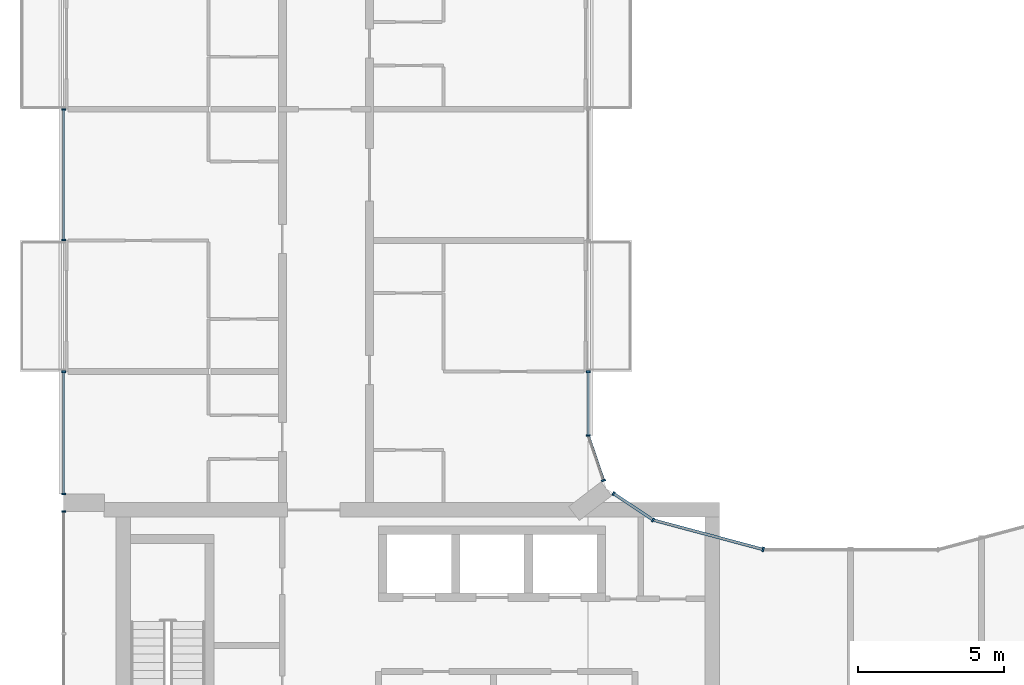
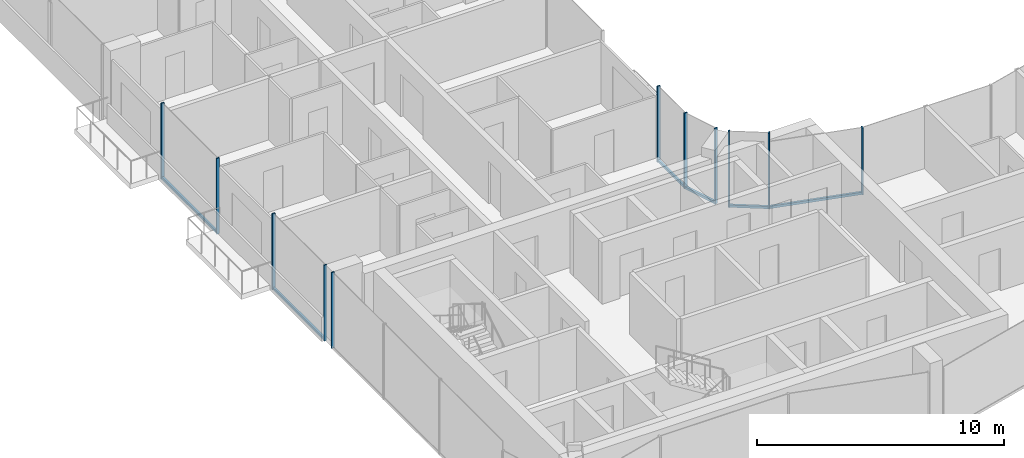
# One storey, part 4 of 17: 17 members, 7 elements without a shape of their own.
"""IFC4 building model written with IfcOpenShell, lengths in metres."""

from ifc_helpers import new_model, si_unit, direction, frame, origin, origin_2d, place, context, subcontext, project, spatial, rectangle, extrude, material, layer, layer_set, material_profile, profile_set, type_object, element, aggregate, save


model = new_model("IFC4")

# Units and contexts
model_context = context("Model", 3, precision=1e-05, world=origin(), true_north=direction((0.0, 1.0)))
body_context = subcontext(model_context, "Body", "Model", "MODEL_VIEW")
ifc_project = project(units=[si_unit("LENGTHUNIT", "METRE"), si_unit("AREAUNIT", "SQUARE_METRE"), si_unit("VOLUMEUNIT", "CUBIC_METRE"), si_unit("PLANEANGLEUNIT", "RADIAN"), si_unit("MASSUNIT", "GRAM", prefix="KILO")], contexts=[model_context])

# Site, building, storey
site_placement = place(None, origin())
site = spatial("IfcSite", under=ifc_project, at=site_placement, CompositionType="ELEMENT")
building_placement = place(site_placement, origin())
building = spatial("IfcBuilding", under=site, at=building_placement, Name="Plateau Cross Towers", CompositionType="ELEMENT")
storey_placement = place(building_placement, frame((0.0, 0.0, 225.89990234375)))
storey = spatial("IfcBuildingStorey", under=building, at=storey_placement, Name="L59", CompositionType="ELEMENT", Elevation=225.89990234375)

# Curtain wall, members
ifc_material_1 = material(Name="Dark low-iron glass", Category="glass")
ifc_layer_1 = layer(ifc_material_1, 0.239990234375)
ifc_layer_set_1 = layer_set([ifc_layer_1], Name="Dark low-iron glass")
curtain_wall_type_1 = type_object("IfcCurtainWallType", Name="Curtain wall flush unitised CW-B", PredefinedType="NOTDEFINED", material=ifc_layer_set_1)
curtain_wall_1_placement = place(storey_placement, origin())
curtain_wall_1 = element("IfcCurtainWall", 1, at=curtain_wall_1_placement, inside=storey, type_object=curtain_wall_type_1, Name="ENV/A/L59/A202_174", PredefinedType="NOTDEFINED")
ifc_material_2 = material(Name="Black anodised aluminium", Category="aluminium")
ifc_material_profile_1 = material_profile(ifc_material_2, rectangle(XDim=0.06005859375, YDim=0.139892578125, at=origin_2d()), Name="MULLION 60x140")
ifc_profile_set_1 = profile_set([ifc_material_profile_1], Name="Black anodised aluminium")
member_type_1 = type_object("IfcMemberType", Name="Mullion 60x140 flush unitised", PredefinedType="MULLION", material=ifc_profile_set_1)
member_1_placement = place(storey_placement, frame((20.223876953125, 17.404296875, -0.25), z_axis=(0.0, 0.0, 1.0), x_axis=(-0.831521253329, 0.555492938984, 0.0)))
member_1 = element("IfcMember", 2, at=member_1_placement, type_object=member_type_1, Name="CW-B mullion 1", PredefinedType="MULLION", context=body_context, shape_type="SweptSolid", body=[
    extrude(rectangle(XDim=0.06005859375, YDim=0.139892578125, at=origin_2d()), origin(), (0.0, 0.0, 1.0), 3.75),
])
member_2_placement = place(storey_placement, frame((18.86962890625, 18.30908203125, -0.25), z_axis=(0.0, 0.0, 1.0), x_axis=(-0.831521253329, 0.555492938984, 0.0)))
member_2 = element("IfcMember", 3, at=member_2_placement, type_object=member_type_1, Name="CW-B mullion 2", PredefinedType="MULLION", context=body_context, shape_type="SweptSolid", body=[
    extrude(rectangle(XDim=0.06005859375, YDim=0.139892578125, at=origin_2d()), origin(), (0.0, 0.0, 1.0), 3.75),
])

# Curtain wall, member
curtain_wall_2_placement = place(storey_placement, origin())
curtain_wall_2 = element("IfcCurtainWall", 4, at=curtain_wall_2_placement, inside=storey, type_object=curtain_wall_type_1, Name="ENV/A/L59/A185_188", PredefinedType="NOTDEFINED")
member_3_placement = place(storey_placement, frame((18.523681640625, 18.760009765625, -0.25), z_axis=(0.0, 0.0, 1.0), x_axis=(-0.321469161574, 0.94692004845, 0.0)))
member_3 = element("IfcMember", 5, at=member_3_placement, type_object=member_type_1, Name="CW-B mullion 1", PredefinedType="MULLION", context=body_context, shape_type="SweptSolid", body=[
    extrude(rectangle(XDim=0.06005859375, YDim=0.139892578125, at=origin_2d()), origin(), (0.0, 0.0, 1.0), 3.75),
])

# Curtain wall, members
curtain_wall_3_placement = place(storey_placement, origin())
curtain_wall_3 = element("IfcCurtainWall", 6, at=curtain_wall_3_placement, inside=storey, type_object=curtain_wall_type_1, Name="ENV/A/L59/A180_203", PredefinedType="NOTDEFINED")
member_4_placement = place(storey_placement, frame((18.0, 20.30224609375, -0.25), z_axis=(0.0, 0.0, 1.0), x_axis=(0.0, 1.0, 0.0)))
member_4 = element("IfcMember", 7, at=member_4_placement, type_object=member_type_1, Name="CW-B mullion 1", PredefinedType="MULLION", context=body_context, shape_type="SweptSolid", body=[
    extrude(rectangle(XDim=0.06005859375, YDim=0.139892578125, at=origin_2d()), origin(), (0.0, 0.0, 1.0), 3.75),
])
member_5_placement = place(storey_placement, frame((18.0, 22.489990234375, -0.25), z_axis=(0.0, 0.0, 1.0), x_axis=(0.0, 1.0, 0.0)))
member_5 = element("IfcMember", 8, at=member_5_placement, type_object=member_type_1, Name="CW-B mullion 2", PredefinedType="MULLION", context=body_context, shape_type="SweptSolid", body=[
    extrude(rectangle(XDim=0.06005859375, YDim=0.139892578125, at=origin_2d()), origin(), (0.0, 0.0, 1.0), 3.75),
])

curtain_wall_4_placement = place(storey_placement, origin())
curtain_wall_4 = element("IfcCurtainWall", 9, at=curtain_wall_4_placement, inside=storey, type_object=curtain_wall_type_1, Name="ENV/A/L59/A0_315", PredefinedType="NOTDEFINED")
member_6_placement = place(storey_placement, frame((0.0, 31.489990234375, -0.25), z_axis=(0.0, 0.0, 1.0), x_axis=(0.0, -1.0, 0.0)))
member_6 = element("IfcMember", 10, at=member_6_placement, type_object=member_type_1, Name="CW-B mullion 1", PredefinedType="MULLION", context=body_context, shape_type="SweptSolid", body=[
    extrude(rectangle(XDim=0.06005859375, YDim=0.139892578125, at=origin_2d()), origin(), (0.0, 0.0, 1.0), 3.75),
])
member_7_placement = place(storey_placement, frame((0.0, 27.010009765625, -0.25), z_axis=(0.0, 0.0, 1.0), x_axis=(0.0, -1.0, 0.0)))
member_7 = element("IfcMember", 11, at=member_7_placement, type_object=member_type_1, Name="CW-B mullion 2", PredefinedType="MULLION", context=body_context, shape_type="SweptSolid", body=[
    extrude(rectangle(XDim=0.06005859375, YDim=0.139892578125, at=origin_2d()), origin(), (0.0, 0.0, 1.0), 3.75),
])

curtain_wall_5_placement = place(storey_placement, origin())
curtain_wall_5 = element("IfcCurtainWall", 12, at=curtain_wall_5_placement, inside=storey, type_object=curtain_wall_type_1, Name="ENV/A/L59/A0_225", PredefinedType="NOTDEFINED")
member_8_placement = place(storey_placement, frame((0.0, 22.489990234375, -0.25), z_axis=(0.0, 0.0, 1.0), x_axis=(0.0, -1.0, 0.0)))
member_8 = element("IfcMember", 13, at=member_8_placement, type_object=member_type_1, Name="CW-B mullion 1", PredefinedType="MULLION", context=body_context, shape_type="SweptSolid", body=[
    extrude(rectangle(XDim=0.06005859375, YDim=0.139892578125, at=origin_2d()), origin(), (0.0, 0.0, 1.0), 3.75),
])
member_9_placement = place(storey_placement, frame((0.0, 18.300048828125, -0.25), z_axis=(0.0, 0.0, 1.0), x_axis=(0.0, -1.0, 0.0)))
member_9 = element("IfcMember", 14, at=member_9_placement, type_object=member_type_1, Name="CW-B mullion 2", PredefinedType="MULLION", context=body_context, shape_type="SweptSolid", body=[
    extrude(rectangle(XDim=0.06005859375, YDim=0.139892578125, at=origin_2d()), origin(), (0.0, 0.0, 1.0), 3.75),
])

# Curtain wall, member
curtain_wall_6_placement = place(storey_placement, origin())
curtain_wall_6 = element("IfcCurtainWall", 15, at=curtain_wall_6_placement, inside=storey, type_object=curtain_wall_type_1, Name="ENV/A/L59/A0_177", PredefinedType="NOTDEFINED")
member_10_placement = place(storey_placement, frame((0.0, 17.699951171875, -0.25), z_axis=(0.0, 0.0, 1.0), x_axis=(0.0, -1.0, 0.0)))
member_10 = element("IfcMember", 16, at=member_10_placement, type_object=member_type_1, Name="CW-B mullion 1", PredefinedType="MULLION", context=body_context, shape_type="SweptSolid", body=[
    extrude(rectangle(XDim=0.06005859375, YDim=0.139892578125, at=origin_2d()), origin(), (0.0, 0.0, 1.0), 3.75),
])
aggregate(curtain_wall_6, [member_10])

ifc_layer_2 = layer(ifc_material_1, 0.260009765625)
ifc_layer_set_2 = layer_set([ifc_layer_2], Name="Dark low-iron glass")
curtain_wall_type_2 = type_object("IfcCurtainWallType", Name="Curtain wall fluted unitised CW-A", PredefinedType="NOTDEFINED", material=ifc_layer_set_2)
curtain_wall_7_placement = place(storey_placement, origin())
curtain_wall_7 = element("IfcCurtainWall", 17, at=curtain_wall_7_placement, inside=storey, type_object=curtain_wall_type_2, Name="ENV/A/L59/A240_164", PredefinedType="NOTDEFINED")
ifc_material_profile_2 = material_profile(ifc_material_2, rectangle(XDim=0.06005859375, YDim=0.159912109375, at=origin_2d()), Name="MULLION 60x160")
ifc_profile_set_2 = profile_set([ifc_material_profile_2], Name="Black anodised aluminium")
member_type_2 = type_object("IfcMemberType", Name="Mullion 60x160 fluted unitised", PredefinedType="MULLION", material=ifc_profile_set_2)
member_11_placement = place(storey_placement, frame((24.0, 16.39306640625, -0.25), z_axis=(0.0, 0.0, 1.0), x_axis=(-0.965957995816, 0.258698956933, 0.0)))
member_11 = element("IfcMember", 18, at=member_11_placement, type_object=member_type_2, Name="CW-A mullion 1", PredefinedType="MULLION", context=body_context, shape_type="SweptSolid", body=[
    extrude(rectangle(XDim=0.06005859375, YDim=0.159912109375, at=origin_2d()), origin(), (0.0, 0.0, 1.0), 3.300048828125),
])

# Member
ifc_material_profile_3 = material_profile(ifc_material_2, rectangle(XDim=0.10009765625, YDim=0.1201171875, at=origin_2d()), Name="TRANSOM 100x120")
ifc_profile_set_3 = profile_set([ifc_material_profile_3], Name="Black anodised aluminium")
member_type_3 = type_object("IfcMemberType", Name="Transom 100x120 flush unitised", PredefinedType="USERDEFINED", material=ifc_profile_set_3)
member_12_placement = place(storey_placement, frame((20.223876953125, 17.404296875, -0.18994140625), z_axis=(-0.831496402487, 0.555530136582, 0.0), x_axis=(-0.555530136582, -0.831496402487, 0.0)))
member_12 = element("IfcMember", 19, at=member_12_placement, type_object=member_type_3, Name="CW-B transom", ObjectType="TRANSOM", PredefinedType="USERDEFINED", context=body_context, shape_type="SweptSolid", body=[
    extrude(rectangle(XDim=0.10009765625, YDim=0.1201171875, at=origin_2d()), origin(), (0.0, 0.0, 1.0), 1.628662109375),
])

aggregate(curtain_wall_1, [member_1, member_2, member_12])

member_13_placement = place(storey_placement, frame((18.523681640625, 18.760009765625, -0.18994140625), z_axis=(-0.321529174838, 0.946899672472, 0.0), x_axis=(-0.946899672472, -0.321529174838, 0.0)))
member_13 = element("IfcMember", 20, at=member_13_placement, type_object=member_type_3, Name="CW-B transom", ObjectType="TRANSOM", PredefinedType="USERDEFINED", context=body_context, shape_type="SweptSolid", body=[
    extrude(rectangle(XDim=0.10009765625, YDim=0.1201171875, at=origin_2d()), origin(), (0.0, 0.0, 1.0), 1.628662109375),
])

aggregate(curtain_wall_2, [member_3, member_13])

member_14_placement = place(storey_placement, frame((18.0, 20.30224609375, -0.18994140625), z_axis=(0.0, 1.0, 0.0), x_axis=(-1.0, 0.0, 0.0)))
member_14 = element("IfcMember", 21, at=member_14_placement, type_object=member_type_3, Name="CW-B transom", ObjectType="TRANSOM", PredefinedType="USERDEFINED", context=body_context, shape_type="SweptSolid", body=[
    extrude(rectangle(XDim=0.10009765625, YDim=0.1201171875, at=origin_2d()), origin(), (0.0, 0.0, 1.0), 2.187744140625),
])

aggregate(curtain_wall_3, [member_4, member_5, member_14])

member_15_placement = place(storey_placement, frame((0.0, 31.489990234375, -0.18994140625), z_axis=(0.0, -1.0, 0.0), x_axis=(1.0, 0.0, 0.0)))
member_15 = element("IfcMember", 22, at=member_15_placement, type_object=member_type_3, Name="CW-B transom", ObjectType="TRANSOM", PredefinedType="USERDEFINED", context=body_context, shape_type="SweptSolid", body=[
    extrude(rectangle(XDim=0.10009765625, YDim=0.1201171875, at=origin_2d()), origin(), (0.0, 0.0, 1.0), 4.47998046875),
])

aggregate(curtain_wall_4, [member_6, member_7, member_15])

member_16_placement = place(storey_placement, frame((0.0, 22.489990234375, -0.18994140625), z_axis=(0.0, -1.0, 0.0), x_axis=(1.0, 0.0, 0.0)))
member_16 = element("IfcMember", 23, at=member_16_placement, type_object=member_type_3, Name="CW-B transom", ObjectType="TRANSOM", PredefinedType="USERDEFINED", context=body_context, shape_type="SweptSolid", body=[
    extrude(rectangle(XDim=0.10009765625, YDim=0.1201171875, at=origin_2d()), origin(), (0.0, 0.0, 1.0), 4.18994140625),
])

aggregate(curtain_wall_5, [member_8, member_9, member_16])

ifc_material_profile_4 = material_profile(ifc_material_2, rectangle(XDim=0.10009765625, YDim=0.1201171875, at=origin_2d()), Name="TRANSOM 100x120")
ifc_profile_set_4 = profile_set([ifc_material_profile_4], Name="Black anodised aluminium")
member_type_4 = type_object("IfcMemberType", Name="Transom 100x120 fluted unitised", PredefinedType="USERDEFINED", material=ifc_profile_set_4)
member_17_placement = place(storey_placement, frame((24.0, 16.39306640625, -0.18994140625), z_axis=(-0.965962822393, 0.25868093427, 0.0), x_axis=(-0.25868093427, -0.965962822393, 0.0)))
member_17 = element("IfcMember", 24, at=member_17_placement, type_object=member_type_4, Name="CW-A transom", ObjectType="TRANSOM", PredefinedType="USERDEFINED", context=body_context, shape_type="SweptSolid", body=[
    extrude(rectangle(XDim=0.10009765625, YDim=0.1201171875, at=origin_2d()), origin(), (0.0, 0.0, 1.0), 3.9091796875),
])

aggregate(curtain_wall_7, [member_11, member_17])

save(model, "model.ifc")
